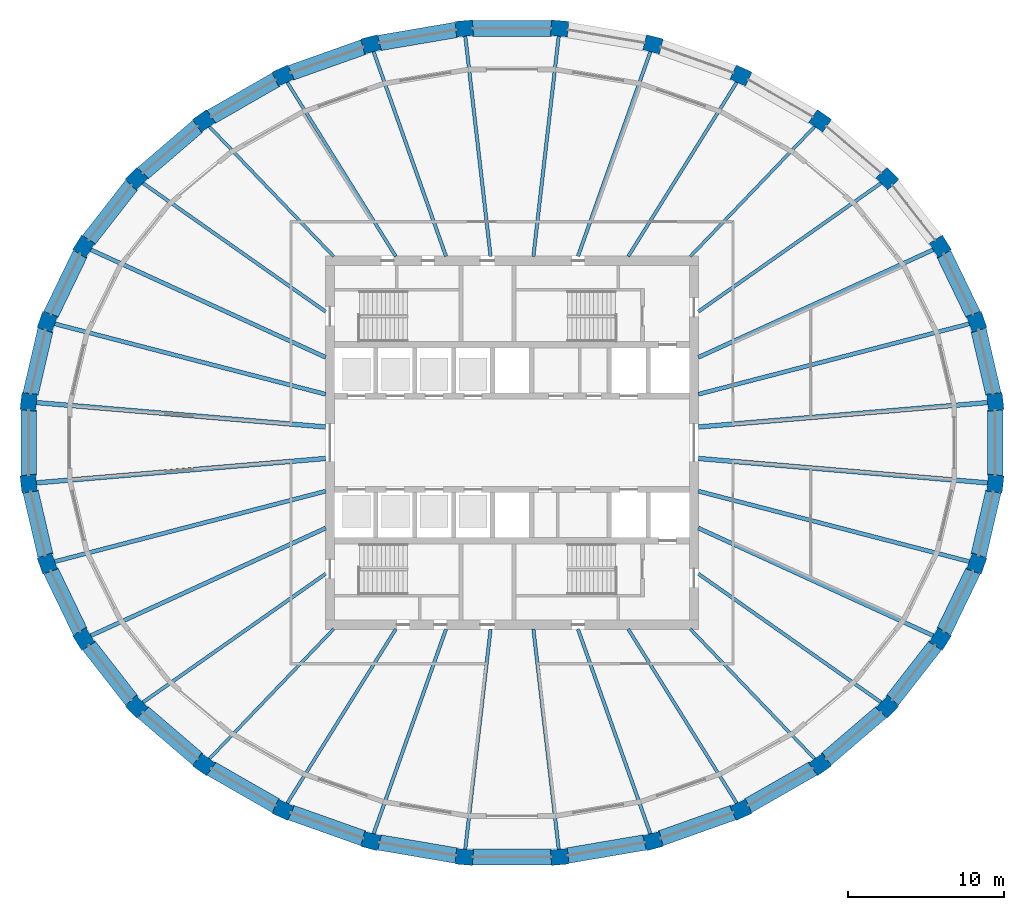
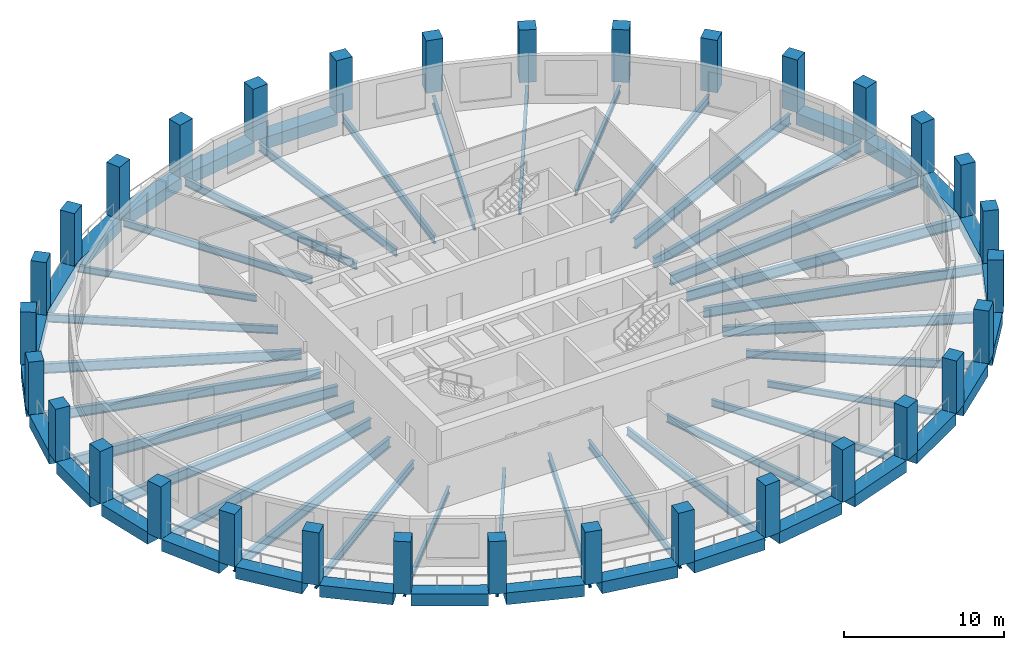
# One storey, part 1 of 10: 59 beams, 32 columns.
"""IFC4 building model written with IfcOpenShell, lengths in metres."""

import ifcopenshell
import ifcopenshell.guid

model = None  # the IFC model being written
_history = None  # IfcOwnerHistory: only IFC2X3 demands one
_inside = {}  # id of a spatial element -> (the spatial element, [elements in it])
_under = {}  # id of a project, library or spatial element -> (it, [spatial elements below it])
_declared = {}  # id of a project -> (the project, [libraries it declares])
_typed = {}  # id of a type object -> (the type object, [elements of that type])
_made_of = {}  # id of a material, layer set ... -> (it, [elements and type objects made of it])


def new_model(schema):
    """Start an empty IFC model of exactly this schema.

    Asked for "IFC4X3", IfcOpenShell would pick the latest addendum, in which some entities
    have other attributes; the version numbers below select the first issue.
    IFC2X3 requires an IfcOwnerHistory on every rooted entity: one is made here for all.
    """
    global model, _history
    if schema == "IFC4X3":
        model = ifcopenshell.file(schema_version=(4, 3, 0, 0))
    else:
        model = ifcopenshell.file(schema=schema)
    _inside.clear()
    _under.clear()
    _declared.clear()
    _typed.clear()
    _made_of.clear()
    _history = None
    if model.schema == "IFC2X3":
        org = make("IfcOrganization", Name="unknown")
        user = make(
            "IfcPersonAndOrganization",
            ThePerson=make("IfcPerson", FamilyName="unknown"),
            TheOrganization=org,
        )
        app = make(
            "IfcApplication",
            ApplicationDeveloper=org,
            Version="unknown",
            ApplicationFullName="unknown",
            ApplicationIdentifier="unknown",
        )
        _history = make(
            "IfcOwnerHistory",
            OwningUser=user,
            OwningApplication=app,
            ChangeAction="ADDED",
            CreationDate=0,
        )
    return model


def make(cls, **values):
    """One entity of the class cls with the attributes given. An attribute that is None is left unset."""
    return model.create_entity(
        cls, **{name: value for name, value in values.items() if value is not None}
    )


def rooted(cls, **values):
    """An entity with a GlobalId (a new one), such as an element, a storey or a relation."""
    return make(cls, GlobalId=ifcopenshell.guid.new(), OwnerHistory=_history, **values)


def si_unit(unit_type, name, prefix=None):
    """IfcSIUnit, for example si_unit("LENGTHUNIT", "METRE", prefix="MILLI")."""
    return make("IfcSIUnit", UnitType=unit_type, Prefix=prefix, Name=name)


def assignment(units):
    """IfcUnitAssignment: the units of a project."""
    return None if units is None else make("IfcUnitAssignment", Units=units)


def point(xyz):
    """IfcCartesianPoint."""
    return None if xyz is None else make("IfcCartesianPoint", Coordinates=xyz)


def direction(xyz):
    """IfcDirection."""
    return None if xyz is None else make("IfcDirection", DirectionRatios=xyz)


def frame(location, z_axis=None, x_axis=None):
    """IfcAxis2Placement3D, a coordinate frame: its origin and axes. An axis left out is left unset."""
    return make(
        "IfcAxis2Placement3D",
        Location=point(location),
        Axis=direction(z_axis),
        RefDirection=direction(x_axis),
    )


def frame_2d(location, x_axis=None):
    """IfcAxis2Placement2D, a coordinate frame in the plane: its origin and x axis."""
    return make(
        "IfcAxis2Placement2D", Location=point(location), RefDirection=direction(x_axis)
    )


def origin():
    """The frame at (0, 0, 0) with its axes left unset."""
    return frame((0.0, 0.0, 0.0))


def origin_2d():
    """The frame at (0, 0) in the plane with its x axis left unset."""
    return frame_2d((0.0, 0.0))


def place(relative_to, where):
    """IfcLocalPlacement: puts the frame where relative to a parent placement (None: the world)."""
    return make(
        "IfcLocalPlacement", PlacementRelTo=relative_to, RelativePlacement=where
    )


def context(
    kind, dimensions, precision=None, world=None, true_north=None, identifier=None
):
    """IfcGeometricRepresentationContext, for example the 3D "Model" context."""
    return make(
        "IfcGeometricRepresentationContext",
        ContextIdentifier=identifier,
        ContextType=kind,
        CoordinateSpaceDimension=dimensions,
        Precision=precision,
        WorldCoordinateSystem=world,
        TrueNorth=true_north,
    )


def subcontext(parent, identifier, kind, view, scale=None):
    """IfcGeometricRepresentationSubContext, for example "Body" below "Model"."""
    return make(
        "IfcGeometricRepresentationSubContext",
        ContextIdentifier=identifier,
        ContextType=kind,
        ParentContext=parent,
        TargetScale=scale,
        TargetView=view,
    )


def project(units=None, contexts=None):
    """IfcProject with its units and contexts."""
    return rooted(
        "IfcProject",
        Name="project",
        RepresentationContexts=contexts,
        UnitsInContext=assignment(units),
    )


def spatial(cls, under=None, at=None, **own):
    """A site, building, storey or space (cls), placed at a placement, below another one or the project."""
    s = rooted(cls, ObjectPlacement=at, **own)
    if under is not None:
        _under.setdefault(under.id(), (under, []))[1].append(s)
    return s


def profile(cls, at=None, kind="AREA", **sizes):
    """A parametric profile (cls). Its sizes go by their IFC names, for example OverallWidth=200.0."""
    return make(cls, ProfileType=kind, Position=at, **sizes)


def rectangle(**sizes):
    """IfcRectangleProfileDef."""
    return profile("IfcRectangleProfileDef", **sizes)


def i_section(**sizes):
    """IfcIShapeProfileDef."""
    return profile("IfcIShapeProfileDef", **sizes)


def extrude(swept, where, along, depth):
    """IfcExtrudedAreaSolid: the profile swept, set in the frame where, extruded along a direction by depth."""
    return make(
        "IfcExtrudedAreaSolid",
        SweptArea=swept,
        Position=where,
        ExtrudedDirection=direction(along),
        Depth=depth,
    )


def shape(context_of_items, identifier, shape_type, items):
    """IfcShapeRepresentation: the items that make up one representation, for example the "Body"."""
    return make(
        "IfcShapeRepresentation",
        ContextOfItems=context_of_items,
        RepresentationIdentifier=identifier,
        RepresentationType=shape_type,
        Items=items,
    )


def material(Name=None, Category=None):
    """IfcMaterial."""
    return make("IfcMaterial", Name=Name, Category=Category)


def material_profile(
    of_material, cross_section, Name=None, Category=None, Priority=None
):
    """IfcMaterialProfile: a cross section and its material."""
    return make(
        "IfcMaterialProfile",
        Name=Name,
        Material=of_material,
        Profile=cross_section,
        Priority=Priority,
        Category=Category,
    )


def profile_set(profiles, Name=None, composite=None):
    """IfcMaterialProfileSet."""
    return make(
        "IfcMaterialProfileSet",
        Name=Name,
        MaterialProfiles=profiles,
        CompositeProfile=composite,
    )


def made_of(thing, what):
    """Note that an element or type object is made of a material, layer set ...; save() writes the relation."""
    if what is not None:
        _made_of.setdefault(what.id(), (what, []))[1].append(thing)
    return thing


def type_object(cls, material=None, **own):
    """A type object (cls), such as IfcWallType, which elements share."""
    return made_of(rooted(cls, **own), material)


def element(
    cls,
    number,
    at=None,
    inside=None,
    cuts=None,
    type_object=None,
    material=None,
    context=None,
    identifier="Body",
    shape_type=None,
    held_by="IfcProductDefinitionShape",
    body=None,
    shapes=None,
    **own,
):
    """One element of the class cls, such as IfcWall. Its Tag is "e" and its number.

    at: its placement. inside: the storey or other place that contains it. cuts: it is an
    opening in that element (IfcRelVoidsElement). A single representation is given by context,
    identifier, shape_type and body (its items); several are given by shapes. held_by: the class
    of the entity that holds the representations. save() writes the other relations.
    """
    e = rooted(cls, Tag="e%d" % number, ObjectPlacement=at, **own)
    if body is not None:
        shapes = [shape(context, identifier, shape_type, body)]
    if shapes is not None:
        e.Representation = make(held_by, Representations=shapes)
    if inside is not None:
        _inside.setdefault(inside.id(), (inside, []))[1].append(e)
    if cuts is not None:
        rooted(
            "IfcRelVoidsElement", RelatingBuildingElement=cuts, RelatedOpeningElement=e
        )
    if type_object is not None:
        _typed.setdefault(type_object.id(), (type_object, []))[1].append(e)
    return made_of(e, material)


def aggregate(whole, parts):
    """IfcRelAggregates: a whole, such as a stair, and the parts it consists of."""
    return rooted("IfcRelAggregates", RelatingObject=whole, RelatedObjects=parts)


def save(model, path):
    """Write the relations noted so far, then the file.

    IfcRelAggregates (storeys below a building ...), IfcRelContainedInSpatialStructure (elements
    in a storey), IfcRelDefinesByType, IfcRelAssociatesMaterial and IfcRelDeclares: one each for
    every whole, place, type object, material and project.
    """
    for whole, parts in _under.values():
        aggregate(whole, parts)
    for where, things in _inside.values():
        rooted(
            "IfcRelContainedInSpatialStructure",
            RelatedElements=things,
            RelatingStructure=where,
        )
    for kind, things in _typed.values():
        rooted("IfcRelDefinesByType", RelatedObjects=things, RelatingType=kind)
    for what, things in _made_of.values():
        rooted("IfcRelAssociatesMaterial", RelatedObjects=things, RelatingMaterial=what)
    for by, libraries in _declared.values():
        rooted("IfcRelDeclares", RelatingContext=by, RelatedDefinitions=libraries)
    model.write(path)


model = new_model("IFC4")

# Units and contexts
model_context = context("Model", 3, precision=1e-05, world=origin(), true_north=direction((0.0, 1.0)))
body_context = subcontext(model_context, "Body", "Model", "MODEL_VIEW")
ifc_project = project(units=[si_unit("LENGTHUNIT", "METRE"), si_unit("AREAUNIT", "SQUARE_METRE"), si_unit("VOLUMEUNIT", "CUBIC_METRE"), si_unit("PLANEANGLEUNIT", "RADIAN"), si_unit("MASSUNIT", "GRAM", prefix="KILO")], contexts=[model_context])

# Site, building, storey
site_placement = place(None, origin())
site = spatial("IfcSite", under=ifc_project, at=site_placement, CompositionType="ELEMENT")
building_placement = place(site_placement, origin())
building = spatial("IfcBuilding", under=site, at=building_placement, Name="Halqa Exchange Tower", CompositionType="ELEMENT")
storey_placement = place(building_placement, frame((0.0, 0.0, 246.89990234375)))
storey = spatial("IfcBuildingStorey", under=building, at=storey_placement, Name="L57", CompositionType="ELEMENT", Elevation=246.89990234375)

# Columns
ifc_material_1 = material(Name="Concrete C60/75", Category="concrete")
ifc_material_profile_1 = material_profile(ifc_material_1, rectangle(XDim=1.10009765625, YDim=1.0, at=origin_2d()), Name="1100 x 1000")
ifc_profile_set_1 = profile_set([ifc_material_profile_1], Name="Concrete C60/75")
column_type = type_object("IfcColumnType", Name="RC ring column 1100 x 1000 C60/75", PredefinedType="COLUMN", material=ifc_profile_set_1)
for number, where, z_axis, x_axis, name in (
    (1, (31.060302734375, 2.6220703125, 0.0), (0.0, 0.0, 1.0), (-0.114153454138, 0.993463129114, 0.0), "Ring column 1"),
    (2, (29.86669921875, 7.765625, 0.0), (0.0, 0.0, 1.0), (-0.333624233576, 0.942706142321, 0.0), "Ring column 2"),
    (3, (27.525146484375, 12.61083984375, 0.0), (0.0, 0.0, 1.0), (-0.529147901095, 0.848529609835, 0.0), "Ring column 3"),
    (4, (24.1259765625, 16.97119140625, 0.0), (0.0, 0.0, 1.0), (-0.691578612608, 0.722301199351, 0.0), "Ring column 4"),
    (5, (19.7998046875, 20.679443359375, 0.0), (0.0, 0.0, 1.0), (-0.817904771313, 0.575353617407, 0.0), "Ring column 5"),
    (6, (14.71240234375, 23.593017578125, 0.0), (0.0, 0.0, 1.0), (-0.909125641902, 0.416521988898, 0.0), "Ring column 6"),
    (7, (9.059814453125, 25.60009765625, 0.0), (0.0, 0.0, 1.0), (-0.967819503571, 0.251645402317, 0.0), "Ring column 7"),
    (8, (3.05908203125, 26.623046875, 0.0), (0.0, 0.0, 1.0), (-0.996455518985, 0.084121333105, 0.0), "Ring column 8"),
    (9, (-3.05908203125, 26.623046875, 0.0), (0.0, 0.0, 1.0), (-0.996455518985, -0.084121333105, 0.0), "Ring column 9"),
    (10, (-9.059814453125, 25.60009765625, 0.0), (0.0, 0.0, 1.0), (-0.967819503571, -0.251645402317, 0.0), "Ring column 10"),
    (11, (-14.71240234375, 23.593017578125, 0.0), (0.0, 0.0, 1.0), (-0.909125641902, -0.416521988898, 0.0), "Ring column 11"),
    (12, (-19.7998046875, 20.679443359375, 0.0), (0.0, 0.0, 1.0), (-0.817904771313, -0.575353617407, 0.0), "Ring column 12"),
    (13, (-24.1259765625, 16.97119140625, 0.0), (0.0, 0.0, 1.0), (-0.691578612608, -0.722301199351, 0.0), "Ring column 13"),
    (14, (-27.525146484375, 12.61083984375, 0.0), (0.0, 0.0, 1.0), (-0.529147901095, -0.848529609835, 0.0), "Ring column 14"),
    (15, (-29.86669921875, 7.765625, 0.0), (0.0, 0.0, 1.0), (-0.333624233576, -0.942706142321, 0.0), "Ring column 15"),
    (16, (-31.060302734375, 2.6220703125, 0.0), (0.0, 0.0, 1.0), (-0.114153454138, -0.993463129114, 0.0), "Ring column 16"),
    (17, (-31.060302734375, -2.6220703125, 0.0), (0.0, 0.0, 1.0), (0.114153454138, -0.993463129114, 0.0), "Ring column 17"),
    (18, (-29.86669921875, -7.765625, 0.0), (0.0, 0.0, 1.0), (0.333624233576, -0.942706142321, 0.0), "Ring column 18"),
    (19, (-27.525146484375, -12.61083984375, 0.0), (0.0, 0.0, 1.0), (0.529147901095, -0.848529609835, 0.0), "Ring column 19"),
    (20, (-24.1259765625, -16.97119140625, 0.0), (0.0, 0.0, 1.0), (0.691578612608, -0.722301199351, 0.0), "Ring column 20"),
    (21, (-19.7998046875, -20.679443359375, 0.0), (0.0, 0.0, 1.0), (0.817904771313, -0.575353617407, 0.0), "Ring column 21"),
    (22, (-14.71240234375, -23.593017578125, 0.0), (0.0, 0.0, 1.0), (0.909125641902, -0.416521988898, 0.0), "Ring column 22"),
    (23, (-9.059814453125, -25.60009765625, 0.0), (0.0, 0.0, 1.0), (0.967819503571, -0.251645402317, 0.0), "Ring column 23"),
    (24, (-3.05908203125, -26.623046875, 0.0), (0.0, 0.0, 1.0), (0.996455518985, -0.084121333105, 0.0), "Ring column 24"),
    (25, (3.05908203125, -26.623046875, 0.0), (0.0, 0.0, 1.0), (0.996455518985, 0.084121333105, 0.0), "Ring column 25"),
    (26, (9.059814453125, -25.60009765625, 0.0), (0.0, 0.0, 1.0), (0.967819503571, 0.251645402317, 0.0), "Ring column 26"),
    (27, (14.71240234375, -23.593017578125, 0.0), (0.0, 0.0, 1.0), (0.909125641902, 0.416521988898, 0.0), "Ring column 27"),
    (28, (19.7998046875, -20.679443359375, 0.0), (0.0, 0.0, 1.0), (0.817904771313, 0.575353617407, 0.0), "Ring column 28"),
    (29, (24.1259765625, -16.97119140625, 0.0), (0.0, 0.0, 1.0), (0.691578612608, 0.722301199351, 0.0), "Ring column 29"),
    (30, (27.525146484375, -12.61083984375, 0.0), (0.0, 0.0, 1.0), (0.529147901095, 0.848529609835, 0.0), "Ring column 30"),
    (31, (29.86669921875, -7.765625, 0.0), (0.0, 0.0, 1.0), (0.333624233576, 0.942706142321, 0.0), "Ring column 31"),
    (32, (31.060302734375, -2.6220703125, 0.0), (0.0, 0.0, 1.0), (0.114153454138, 0.993463129114, 0.0), "Ring column 32"),
):
    element("IfcColumn", number, at=place(storey_placement, frame(where, z_axis=z_axis, x_axis=x_axis)), inside=storey, type_object=column_type, Name=name, PredefinedType="COLUMN", context=body_context, shape_type="SweptSolid", body=[
        extrude(rectangle(XDim=1.10009765625, YDim=1.0, at=origin_2d()), origin(), (0.0, 0.0, 1.0), 4.0),
    ])

# Beams
ifc_material_2 = material(Name="Steel S355", Category="steel")
ifc_material_profile_2 = material_profile(ifc_material_2, i_section(OverallWidth=0.300048828125, OverallDepth=0.7900390625, WebThickness=0.014892578125, FlangeThickness=0.028076171875, FilletRadius=0.030029296875, at=origin_2d()), Name="HEA 800")
ifc_profile_set_2 = profile_set([ifc_material_profile_2], Name="Steel S355")
beam_type_1 = type_object("IfcBeamType", Name="Floor beam HEA 800", PredefinedType="BEAM", material=ifc_profile_set_2)
for number, where, z_axis, x_axis, name in (
    (33, (11.972412109375, 1.0107421875, -0.69482421875), (0.996455630381, 0.084120013563, 0.0), (-0.084120013563, 0.996455630381, 0.0), "Radial beam 1"),
    (34, (-11.972412109375, 1.0107421875, -0.69482421875), (-0.996455630381, 0.084120013563, 0.0), (-0.084120013563, -0.996455630381, 0.0), "Radial beam 16"),
    (35, (-11.972412109375, -1.0107421875, -0.69482421875), (-0.996455630381, -0.084120013563, 0.0), (0.084120013563, -0.996455630381, 0.0), "Radial beam 17"),
    (36, (11.972412109375, -1.0107421875, -0.69482421875), (0.996455630381, -0.084120013563, 0.0), (0.084120013563, 0.996455630381, 0.0), "Radial beam 32"),
):
    element("IfcBeam", number, at=place(storey_placement, frame(where, z_axis=z_axis, x_axis=x_axis)), inside=storey, type_object=beam_type_1, Name=name, PredefinedType="BEAM", context=body_context, shape_type="SweptSolid", body=[
        extrude(i_section(OverallWidth=0.300048828125, OverallDepth=0.7900390625, WebThickness=0.014892578125, FlangeThickness=0.028076171875, FilletRadius=0.030029296875, at=origin_2d()), origin(), (0.0, 0.0, 1.0), 18.78369140625),
    ])
ifc_material_profile_3 = material_profile(ifc_material_2, i_section(OverallWidth=0.199951171875, OverallDepth=0.5, WebThickness=0.01025390625, FlangeThickness=0.01611328125, FilletRadius=0.02099609375, at=origin_2d()), Name="IPE 500")
ifc_profile_set_3 = profile_set([ifc_material_profile_3], Name="Steel S355")
beam_type_2 = type_object("IfcBeamType", Name="Floor beam IPE 500", PredefinedType="BEAM", material=ifc_profile_set_3)
for number, where, z_axis, x_axis, name in (
    (37, (11.46337890625, 11.972900390625, -0.5498046875), (0.691584726841, 0.722295345133, 0.0), (-0.722295345133, 0.691584726841, 0.0), "Radial beam 5"),
    (38, (-11.46337890625, 11.972900390625, -0.5498046875), (-0.691584726841, 0.722295345133, 0.0), (-0.722295345133, -0.691584726841, 0.0), "Radial beam 12"),
    (39, (-11.46337890625, -11.972900390625, -0.5498046875), (-0.691584726841, -0.722295345133, 0.0), (0.722295345133, -0.691584726841, 0.0), "Radial beam 21"),
    (40, (11.46337890625, -11.972900390625, -0.5498046875), (0.691584726841, -0.722295345133, 0.0), (0.722295345133, 0.691584726841, 0.0), "Radial beam 28"),
):
    element("IfcBeam", number, at=place(storey_placement, frame(where, z_axis=z_axis, x_axis=x_axis)), inside=storey, type_object=beam_type_2, Name=name, PredefinedType="BEAM", context=body_context, shape_type="SweptSolid", body=[
        extrude(i_section(OverallWidth=0.199951171875, OverallDepth=0.5, WebThickness=0.01025390625, FlangeThickness=0.01611328125, FilletRadius=0.02099609375, at=origin_2d()), origin(), (0.0, 0.0, 1.0), 11.67822265625),
    ])
ifc_material_profile_4 = material_profile(ifc_material_2, i_section(OverallWidth=0.2099609375, OverallDepth=0.550048828125, WebThickness=0.010986328125, FlangeThickness=0.01708984375, FilletRadius=0.02392578125, at=origin_2d()), Name="IPE 550")
ifc_profile_set_4 = profile_set([ifc_material_profile_4], Name="Steel S355")
beam_type_3 = type_object("IfcBeamType", Name="Floor beam IPE 550", PredefinedType="BEAM", material=ifc_profile_set_4)
for number, where, z_axis, x_axis, name in (
    (41, (7.46533203125, 11.971435546875, -0.574951171875), (0.529128772744, 0.848541538084, 0.0), (-0.848541538084, 0.529128772744, 0.0), "Radial beam 6"),
    (42, (-7.46533203125, 11.971435546875, -0.574951171875), (-0.529128772744, 0.848541538084, 0.0), (-0.848541538084, -0.529128772744, 0.0), "Radial beam 11"),
    (43, (-7.46533203125, -11.971435546875, -0.574951171875), (-0.529128772744, -0.848541538084, 0.0), (0.848541538084, -0.529128772744, 0.0), "Radial beam 22"),
    (44, (7.46533203125, -11.971435546875, -0.574951171875), (0.529128772744, -0.848541538084, 0.0), (0.848541538084, 0.529128772744, 0.0), "Radial beam 27"),
):
    element("IfcBeam", number, at=place(storey_placement, frame(where, z_axis=z_axis, x_axis=x_axis)), inside=storey, type_object=beam_type_3, Name=name, PredefinedType="BEAM", context=body_context, shape_type="SweptSolid", body=[
        extrude(i_section(OverallWidth=0.2099609375, OverallDepth=0.550048828125, WebThickness=0.010986328125, FlangeThickness=0.01708984375, FilletRadius=0.02392578125, at=origin_2d()), origin(), (0.0, 0.0, 1.0), 13.320068359375),
    ])
ifc_material_profile_5 = material_profile(ifc_material_2, i_section(OverallWidth=0.219970703125, OverallDepth=0.60009765625, WebThickness=0.011962890625, FlangeThickness=0.01904296875, FilletRadius=0.02392578125, at=origin_2d()), Name="IPE 600")
ifc_profile_set_5 = profile_set([ifc_material_profile_5], Name="Steel S355")
beam_type_4 = type_object("IfcBeamType", Name="Floor beam IPE 600", PredefinedType="BEAM", material=ifc_profile_set_5)
beam_1_placement = place(storey_placement, frame((11.972412109375, 8.421875, -0.599853515625), z_axis=(0.817910421288, 0.575345585495, 0.0), x_axis=(-0.575345585495, 0.817910421288, 0.0)))
element("IfcBeam", 45, at=beam_1_placement, inside=storey, type_object=beam_type_4, Name="Radial beam 4", PredefinedType="BEAM", context=body_context, shape_type="SweptSolid", body=[
    extrude(i_section(OverallWidth=0.219970703125, OverallDepth=0.60009765625, WebThickness=0.011962890625, FlangeThickness=0.01904296875, FilletRadius=0.02392578125, at=origin_2d()), origin(), (0.0, 0.0, 1.0), 14.4833984375),
])
beam_2_placement = place(storey_placement, frame((4.23681640625, 11.9716796875, -0.599853515625), z_axis=(0.333623449979, 0.942706419637, 0.0), x_axis=(-0.942706419637, 0.333623449979, 0.0)))
element("IfcBeam", 46, at=beam_2_placement, inside=storey, type_object=beam_type_4, Name="Radial beam 7", PredefinedType="BEAM", context=body_context, shape_type="SweptSolid", body=[
    extrude(i_section(OverallWidth=0.219970703125, OverallDepth=0.60009765625, WebThickness=0.011962890625, FlangeThickness=0.01904296875, FilletRadius=0.02392578125, at=origin_2d()), origin(), (0.0, 0.0, 1.0), 14.08251953125),
])
for number, where, z_axis, x_axis, name in (
    (47, (1.375732421875, 11.972412109375, -0.599853515625), (0.114147707136, 0.993463789454, 0.0), (-0.993463789454, 0.114147707136, 0.0), "Radial beam 8"),
    (48, (-1.375732421875, 11.972412109375, -0.599853515625), (-0.114147707136, 0.993463789454, 0.0), (-0.993463789454, -0.114147707136, 0.0), "Radial beam 9"),
):
    element("IfcBeam", number, at=place(storey_placement, frame(where, z_axis=z_axis, x_axis=x_axis)), inside=storey, type_object=beam_type_4, Name=name, PredefinedType="BEAM", context=body_context, shape_type="SweptSolid", body=[
        extrude(i_section(OverallWidth=0.219970703125, OverallDepth=0.60009765625, WebThickness=0.011962890625, FlangeThickness=0.01904296875, FilletRadius=0.02392578125, at=origin_2d()), origin(), (0.0, 0.0, 1.0), 14.375),
    ])
beam_3_placement = place(storey_placement, frame((-4.23681640625, 11.9716796875, -0.599853515625), z_axis=(-0.333623449979, 0.942706419637, 0.0), x_axis=(-0.942706419637, -0.333623449979, 0.0)))
element("IfcBeam", 49, at=beam_3_placement, inside=storey, type_object=beam_type_4, Name="Radial beam 10", PredefinedType="BEAM", context=body_context, shape_type="SweptSolid", body=[
    extrude(i_section(OverallWidth=0.219970703125, OverallDepth=0.60009765625, WebThickness=0.011962890625, FlangeThickness=0.01904296875, FilletRadius=0.02392578125, at=origin_2d()), origin(), (0.0, 0.0, 1.0), 14.08251953125),
])
for number, where, z_axis, x_axis, name in (
    (50, (-11.972412109375, 8.421875, -0.599853515625), (-0.817910421288, 0.575345585495, 0.0), (-0.575345585495, -0.817910421288, 0.0), "Radial beam 13"),
    (51, (-11.972412109375, -8.421875, -0.599853515625), (-0.817910421288, -0.575345585495, 0.0), (0.575345585495, -0.817910421288, 0.0), "Radial beam 20"),
):
    element("IfcBeam", number, at=place(storey_placement, frame(where, z_axis=z_axis, x_axis=x_axis)), inside=storey, type_object=beam_type_4, Name=name, PredefinedType="BEAM", context=body_context, shape_type="SweptSolid", body=[
        extrude(i_section(OverallWidth=0.219970703125, OverallDepth=0.60009765625, WebThickness=0.011962890625, FlangeThickness=0.01904296875, FilletRadius=0.02392578125, at=origin_2d()), origin(), (0.0, 0.0, 1.0), 14.4833984375),
    ])
beam_4_placement = place(storey_placement, frame((-4.23681640625, -11.9716796875, -0.599853515625), z_axis=(-0.333623449979, -0.942706419637, 0.0), x_axis=(0.942706419637, -0.333623449979, 0.0)))
element("IfcBeam", 52, at=beam_4_placement, inside=storey, type_object=beam_type_4, Name="Radial beam 23", PredefinedType="BEAM", context=body_context, shape_type="SweptSolid", body=[
    extrude(i_section(OverallWidth=0.219970703125, OverallDepth=0.60009765625, WebThickness=0.011962890625, FlangeThickness=0.01904296875, FilletRadius=0.02392578125, at=origin_2d()), origin(), (0.0, 0.0, 1.0), 14.08251953125),
])
for number, where, z_axis, x_axis, name in (
    (53, (-1.375732421875, -11.972412109375, -0.599853515625), (-0.114147707136, -0.993463789454, 0.0), (0.993463789454, -0.114147707136, 0.0), "Radial beam 24"),
    (54, (1.375732421875, -11.972412109375, -0.599853515625), (0.114147707136, -0.993463789454, 0.0), (0.993463789454, 0.114147707136, 0.0), "Radial beam 25"),
):
    element("IfcBeam", number, at=place(storey_placement, frame(where, z_axis=z_axis, x_axis=x_axis)), inside=storey, type_object=beam_type_4, Name=name, PredefinedType="BEAM", context=body_context, shape_type="SweptSolid", body=[
        extrude(i_section(OverallWidth=0.219970703125, OverallDepth=0.60009765625, WebThickness=0.011962890625, FlangeThickness=0.01904296875, FilletRadius=0.02392578125, at=origin_2d()), origin(), (0.0, 0.0, 1.0), 14.375),
    ])
beam_5_placement = place(storey_placement, frame((4.23681640625, -11.9716796875, -0.599853515625), z_axis=(0.333623449979, -0.942706419637, 0.0), x_axis=(0.942706419637, 0.333623449979, 0.0)))
element("IfcBeam", 55, at=beam_5_placement, inside=storey, type_object=beam_type_4, Name="Radial beam 26", PredefinedType="BEAM", context=body_context, shape_type="SweptSolid", body=[
    extrude(i_section(OverallWidth=0.219970703125, OverallDepth=0.60009765625, WebThickness=0.011962890625, FlangeThickness=0.01904296875, FilletRadius=0.02392578125, at=origin_2d()), origin(), (0.0, 0.0, 1.0), 14.08251953125),
])
beam_6_placement = place(storey_placement, frame((11.972412109375, -8.421875, -0.599853515625), z_axis=(0.817910421288, -0.575345585495, 0.0), x_axis=(0.575345585495, 0.817910421288, 0.0)))
element("IfcBeam", 56, at=beam_6_placement, inside=storey, type_object=beam_type_4, Name="Radial beam 29", PredefinedType="BEAM", context=body_context, shape_type="SweptSolid", body=[
    extrude(i_section(OverallWidth=0.219970703125, OverallDepth=0.60009765625, WebThickness=0.011962890625, FlangeThickness=0.01904296875, FilletRadius=0.02392578125, at=origin_2d()), origin(), (0.0, 0.0, 1.0), 14.4833984375),
])
ifc_material_profile_6 = material_profile(ifc_material_2, i_section(OverallWidth=0.264892578125, OverallDepth=0.7529296875, WebThickness=0.01318359375, FlangeThickness=0.01708984375, FilletRadius=0.01708984375, at=origin_2d()), Name="IPE 750x147")
ifc_profile_set_6 = profile_set([ifc_material_profile_6], Name="Steel S355")
beam_type_5 = type_object("IfcBeamType", Name="Floor beam IPE 750x147", PredefinedType="BEAM", material=ifc_profile_set_6)
beam_7_placement = place(storey_placement, frame((11.97265625, 3.113037109375, -0.676513671875), z_axis=(0.967818764949, 0.251648243015, 0.0), x_axis=(-0.251648243015, 0.967818764949, 0.0)))
element("IfcBeam", 57, at=beam_7_placement, inside=storey, type_object=beam_type_5, Name="Radial beam 2", PredefinedType="BEAM", context=body_context, shape_type="SweptSolid", body=[
    extrude(i_section(OverallWidth=0.264892578125, OverallDepth=0.7529296875, WebThickness=0.01318359375, FlangeThickness=0.01708984375, FilletRadius=0.01708984375, at=origin_2d()), origin(), (0.0, 0.0, 1.0), 18.114990234375),
])
for number, where, z_axis, x_axis, name in (
    (58, (11.972412109375, 5.4853515625, -0.676513671875), (0.909131134199, 0.416510000876, 0.0), (-0.416510000876, 0.909131134199, 0.0), "Radial beam 3"),
    (59, (-11.972412109375, 5.4853515625, -0.676513671875), (-0.909131134199, 0.416510000876, 0.0), (-0.416510000876, -0.909131134199, 0.0), "Radial beam 14"),
):
    element("IfcBeam", number, at=place(storey_placement, frame(where, z_axis=z_axis, x_axis=x_axis)), inside=storey, type_object=beam_type_5, Name=name, PredefinedType="BEAM", context=body_context, shape_type="SweptSolid", body=[
        extrude(i_section(OverallWidth=0.264892578125, OverallDepth=0.7529296875, WebThickness=0.01318359375, FlangeThickness=0.01708984375, FilletRadius=0.01708984375, at=origin_2d()), origin(), (0.0, 0.0, 1.0), 16.731201171875),
    ])
for number, where, z_axis, x_axis, name in (
    (60, (-11.97265625, 3.113037109375, -0.676513671875), (-0.967818764949, 0.251648243015, 0.0), (-0.251648243015, -0.967818764949, 0.0), "Radial beam 15"),
    (61, (-11.97265625, -3.113037109375, -0.676513671875), (-0.967818764949, -0.251648243015, 0.0), (0.251648243015, -0.967818764949, 0.0), "Radial beam 18"),
):
    element("IfcBeam", number, at=place(storey_placement, frame(where, z_axis=z_axis, x_axis=x_axis)), inside=storey, type_object=beam_type_5, Name=name, PredefinedType="BEAM", context=body_context, shape_type="SweptSolid", body=[
        extrude(i_section(OverallWidth=0.264892578125, OverallDepth=0.7529296875, WebThickness=0.01318359375, FlangeThickness=0.01708984375, FilletRadius=0.01708984375, at=origin_2d()), origin(), (0.0, 0.0, 1.0), 18.114990234375),
    ])
for number, where, z_axis, x_axis, name in (
    (62, (-11.972412109375, -5.4853515625, -0.676513671875), (-0.909131134199, -0.416510000876, 0.0), (0.416510000876, -0.909131134199, 0.0), "Radial beam 19"),
    (63, (11.972412109375, -5.4853515625, -0.676513671875), (0.909131134199, -0.416510000876, 0.0), (0.416510000876, 0.909131134199, 0.0), "Radial beam 30"),
):
    element("IfcBeam", number, at=place(storey_placement, frame(where, z_axis=z_axis, x_axis=x_axis)), inside=storey, type_object=beam_type_5, Name=name, PredefinedType="BEAM", context=body_context, shape_type="SweptSolid", body=[
        extrude(i_section(OverallWidth=0.264892578125, OverallDepth=0.7529296875, WebThickness=0.01318359375, FlangeThickness=0.01708984375, FilletRadius=0.01708984375, at=origin_2d()), origin(), (0.0, 0.0, 1.0), 16.731201171875),
    ])
beam_8_placement = place(storey_placement, frame((11.97265625, -3.113037109375, -0.676513671875), z_axis=(0.967818764949, -0.251648243015, 0.0), x_axis=(0.251648243015, 0.967818764949, 0.0)))
element("IfcBeam", 64, at=beam_8_placement, inside=storey, type_object=beam_type_5, Name="Radial beam 31", PredefinedType="BEAM", context=body_context, shape_type="SweptSolid", body=[
    extrude(i_section(OverallWidth=0.264892578125, OverallDepth=0.7529296875, WebThickness=0.01318359375, FlangeThickness=0.01708984375, FilletRadius=0.01708984375, at=origin_2d()), origin(), (0.0, 0.0, 1.0), 18.114990234375),
])
ifc_material_profile_7 = material_profile(ifc_material_1, rectangle(XDim=1.0, YDim=0.89990234375, at=origin_2d()), Name="1000 x 900")
ifc_profile_set_7 = profile_set([ifc_material_profile_7], Name="Concrete C60/75")
beam_type_6 = type_object("IfcBeamType", Name="RC spandrel beam 1000 x 900 C60/75", PredefinedType="SPANDREL", material=ifc_profile_set_7)
beam_9_placement = place(storey_placement, frame((30.941650390625, 3.13330078125, -0.449951171875), z_axis=(-0.226039726133, 0.974118084325, 0.0), x_axis=(-0.974118084325, -0.226039726133, 0.0)))
element("IfcBeam", 65, at=beam_9_placement, inside=storey, type_object=beam_type_6, Name="Spandrel 1", PredefinedType="SPANDREL", context=body_context, shape_type="SweptSolid", body=[
    extrude(rectangle(XDim=1.0, YDim=0.89990234375, at=origin_2d()), origin(), (0.0, 0.0, 1.0), 4.2294921875),
])
beam_10_placement = place(storey_placement, frame((29.63818359375, 8.238525390625, -0.449951171875), z_axis=(-0.435106956981, 0.900378773621, 0.0), x_axis=(-0.900378773621, -0.435106956981, 0.0)))
element("IfcBeam", 66, at=beam_10_placement, inside=storey, type_object=beam_type_6, Name="Spandrel 2", PredefinedType="SPANDREL", context=body_context, shape_type="SweptSolid", body=[
    extrude(rectangle(XDim=1.0, YDim=0.89990234375, at=origin_2d()), origin(), (0.0, 0.0, 1.0), 4.330078125),
])
beam_11_placement = place(storey_placement, frame((2.535400390625, 26.623046875, -0.449951171875), z_axis=(-1.0, 0.0, 0.0), x_axis=(0.0, -1.0, 0.0)))
element("IfcBeam", 67, at=beam_11_placement, inside=storey, type_object=beam_type_6, Name="Spandrel 8", PredefinedType="SPANDREL", context=body_context, shape_type="SweptSolid", body=[
    extrude(rectangle(XDim=1.0, YDim=0.89990234375, at=origin_2d()), origin(), (0.0, 0.0, 1.0), 5.07080078125),
])
beam_12_placement = place(storey_placement, frame((-3.57568359375, 26.534912109375, -0.449951171875), z_axis=(-0.985775605401, -0.16806681944, 0.0), x_axis=(0.16806681944, -0.985775605401, 0.0)))
element("IfcBeam", 68, at=beam_12_placement, inside=storey, type_object=beam_type_6, Name="Spandrel 9", PredefinedType="SPANDREL", context=body_context, shape_type="SweptSolid", body=[
    extrude(rectangle(XDim=1.0, YDim=0.89990234375, at=origin_2d()), origin(), (0.0, 0.0, 1.0), 5.039306640625),
])
beam_13_placement = place(storey_placement, frame((-9.554443359375, 25.42431640625, -0.449951171875), z_axis=(-0.94237407927, -0.334561047822, 0.0), x_axis=(0.334561047822, -0.94237407927, 0.0)))
element("IfcBeam", 69, at=beam_13_placement, inside=storey, type_object=beam_type_6, Name="Spandrel 10", PredefinedType="SPANDREL", context=body_context, shape_type="SweptSolid", body=[
    extrude(rectangle(XDim=1.0, YDim=0.89990234375, at=origin_2d()), origin(), (0.0, 0.0, 1.0), 4.94970703125),
])
beam_14_placement = place(storey_placement, frame((-15.167724609375, 23.33251953125, -0.449951171875), z_axis=(-0.8677465318, -0.497006998491, 0.0), x_axis=(0.497006998491, -0.8677465318, 0.0)))
element("IfcBeam", 70, at=beam_14_placement, inside=storey, type_object=beam_type_6, Name="Spandrel 11", PredefinedType="SPANDREL", context=body_context, shape_type="SweptSolid", body=[
    extrude(rectangle(XDim=1.0, YDim=0.89990234375, at=origin_2d()), origin(), (0.0, 0.0, 1.0), 4.814453125),
])
beam_15_placement = place(storey_placement, frame((-20.197998046875, 20.337890625, -0.449951171875), z_axis=(-0.759267722395, -0.650778399864, 0.0), x_axis=(0.650778399864, -0.759267722395, 0.0)))
element("IfcBeam", 71, at=beam_15_placement, inside=storey, type_object=beam_type_6, Name="Spandrel 12", PredefinedType="SPANDREL", context=body_context, shape_type="SweptSolid", body=[
    extrude(rectangle(XDim=1.0, YDim=0.89990234375, at=origin_2d()), origin(), (0.0, 0.0, 1.0), 4.649169921875),
])
beam_16_placement = place(storey_placement, frame((-24.448974609375, 16.556884765625, -0.449951171875), z_axis=(-0.614827074471, -0.788661948174, 0.0), x_axis=(0.788661948174, -0.614827074471, 0.0)))
element("IfcBeam", 72, at=beam_16_placement, inside=storey, type_object=beam_type_6, Name="Spandrel 13", PredefinedType="SPANDREL", context=body_context, shape_type="SweptSolid", body=[
    extrude(rectangle(XDim=1.0, YDim=0.89990234375, at=origin_2d()), origin(), (0.0, 0.0, 1.0), 4.478759765625),
])
beam_17_placement = place(storey_placement, frame((-27.754150390625, 12.13720703125, -0.449951171875), z_axis=(-0.435106956981, -0.900378773621, 0.0), x_axis=(0.900378773621, -0.435106956981, 0.0)))
element("IfcBeam", 73, at=beam_17_placement, inside=storey, type_object=beam_type_6, Name="Spandrel 14", PredefinedType="SPANDREL", context=body_context, shape_type="SweptSolid", body=[
    extrude(rectangle(XDim=1.0, YDim=0.89990234375, at=origin_2d()), origin(), (0.0, 0.0, 1.0), 4.330078125),
])
beam_18_placement = place(storey_placement, frame((-29.985595703125, 7.25341796875, -0.449951171875), z_axis=(-0.226039726133, -0.974118084325, 0.0), x_axis=(0.974118084325, -0.226039726133, 0.0)))
element("IfcBeam", 74, at=beam_18_placement, inside=storey, type_object=beam_type_6, Name="Spandrel 15", PredefinedType="SPANDREL", context=body_context, shape_type="SweptSolid", body=[
    extrude(rectangle(XDim=1.0, YDim=0.89990234375, at=origin_2d()), origin(), (0.0, 0.0, 1.0), 4.2294921875),
])
beam_19_placement = place(storey_placement, frame((-31.060302734375, 2.09716796875, -0.449951171875), z_axis=(0.0, -1.0, 0.0), x_axis=(1.0, 0.0, 0.0)))
element("IfcBeam", 75, at=beam_19_placement, inside=storey, type_object=beam_type_6, Name="Spandrel 16", PredefinedType="SPANDREL", context=body_context, shape_type="SweptSolid", body=[
    extrude(rectangle(XDim=1.0, YDim=0.89990234375, at=origin_2d()), origin(), (0.0, 0.0, 1.0), 4.1943359375),
])
beam_20_placement = place(storey_placement, frame((-30.941650390625, -3.13330078125, -0.449951171875), z_axis=(0.226039726133, -0.974118084325, 0.0), x_axis=(0.974118084325, 0.226039726133, 0.0)))
element("IfcBeam", 76, at=beam_20_placement, inside=storey, type_object=beam_type_6, Name="Spandrel 17", PredefinedType="SPANDREL", context=body_context, shape_type="SweptSolid", body=[
    extrude(rectangle(XDim=1.0, YDim=0.89990234375, at=origin_2d()), origin(), (0.0, 0.0, 1.0), 4.2294921875),
])
beam_21_placement = place(storey_placement, frame((-29.63818359375, -8.238525390625, -0.449951171875), z_axis=(0.435106956981, -0.900378773621, 0.0), x_axis=(0.900378773621, 0.435106956981, 0.0)))
element("IfcBeam", 77, at=beam_21_placement, inside=storey, type_object=beam_type_6, Name="Spandrel 18", PredefinedType="SPANDREL", context=body_context, shape_type="SweptSolid", body=[
    extrude(rectangle(XDim=1.0, YDim=0.89990234375, at=origin_2d()), origin(), (0.0, 0.0, 1.0), 4.330078125),
])
beam_22_placement = place(storey_placement, frame((-27.20263671875, -13.024658203125, -0.449951171875), z_axis=(0.614827074471, -0.788661948174, 0.0), x_axis=(0.788661948174, 0.614827074471, 0.0)))
element("IfcBeam", 78, at=beam_22_placement, inside=storey, type_object=beam_type_6, Name="Spandrel 19", PredefinedType="SPANDREL", context=body_context, shape_type="SweptSolid", body=[
    extrude(rectangle(XDim=1.0, YDim=0.89990234375, at=origin_2d()), origin(), (0.0, 0.0, 1.0), 4.478759765625),
])
beam_23_placement = place(storey_placement, frame((-23.72802734375, -17.312255859375, -0.449951171875), z_axis=(0.759267722395, -0.650778399864, 0.0), x_axis=(0.650778399864, 0.759267722395, 0.0)))
element("IfcBeam", 79, at=beam_23_placement, inside=storey, type_object=beam_type_6, Name="Spandrel 20", PredefinedType="SPANDREL", context=body_context, shape_type="SweptSolid", body=[
    extrude(rectangle(XDim=1.0, YDim=0.89990234375, at=origin_2d()), origin(), (0.0, 0.0, 1.0), 4.649169921875),
])
beam_24_placement = place(storey_placement, frame((-19.345458984375, -20.939697265625, -0.449951171875), z_axis=(0.8677465318, -0.497006998491, 0.0), x_axis=(0.497006998491, 0.8677465318, 0.0)))
element("IfcBeam", 80, at=beam_24_placement, inside=storey, type_object=beam_type_6, Name="Spandrel 21", PredefinedType="SPANDREL", context=body_context, shape_type="SweptSolid", body=[
    extrude(rectangle(XDim=1.0, YDim=0.89990234375, at=origin_2d()), origin(), (0.0, 0.0, 1.0), 4.814453125),
])
beam_25_placement = place(storey_placement, frame((-14.218994140625, -23.768310546875, -0.449951171875), z_axis=(0.94237407927, -0.334561047822, 0.0), x_axis=(0.334561047822, 0.94237407927, 0.0)))
element("IfcBeam", 81, at=beam_25_placement, inside=storey, type_object=beam_type_6, Name="Spandrel 22", PredefinedType="SPANDREL", context=body_context, shape_type="SweptSolid", body=[
    extrude(rectangle(XDim=1.0, YDim=0.89990234375, at=origin_2d()), origin(), (0.0, 0.0, 1.0), 4.94970703125),
])
beam_26_placement = place(storey_placement, frame((-8.543212890625, -25.68798828125, -0.449951171875), z_axis=(0.985775605401, -0.16806681944, 0.0), x_axis=(0.16806681944, 0.985775605401, 0.0)))
element("IfcBeam", 82, at=beam_26_placement, inside=storey, type_object=beam_type_6, Name="Spandrel 23", PredefinedType="SPANDREL", context=body_context, shape_type="SweptSolid", body=[
    extrude(rectangle(XDim=1.0, YDim=0.89990234375, at=origin_2d()), origin(), (0.0, 0.0, 1.0), 5.039306640625),
])
beam_27_placement = place(storey_placement, frame((-2.535400390625, -26.623046875, -0.449951171875), z_axis=(1.0, 0.0, 0.0), x_axis=(0.0, 1.0, 0.0)))
element("IfcBeam", 83, at=beam_27_placement, inside=storey, type_object=beam_type_6, Name="Spandrel 24", PredefinedType="SPANDREL", context=body_context, shape_type="SweptSolid", body=[
    extrude(rectangle(XDim=1.0, YDim=0.89990234375, at=origin_2d()), origin(), (0.0, 0.0, 1.0), 5.07080078125),
])
beam_28_placement = place(storey_placement, frame((3.57568359375, -26.534912109375, -0.449951171875), z_axis=(0.985775605401, 0.16806681944, 0.0), x_axis=(-0.16806681944, 0.985775605401, 0.0)))
element("IfcBeam", 84, at=beam_28_placement, inside=storey, type_object=beam_type_6, Name="Spandrel 25", PredefinedType="SPANDREL", context=body_context, shape_type="SweptSolid", body=[
    extrude(rectangle(XDim=1.0, YDim=0.89990234375, at=origin_2d()), origin(), (0.0, 0.0, 1.0), 5.039306640625),
])
beam_29_placement = place(storey_placement, frame((9.554443359375, -25.42431640625, -0.449951171875), z_axis=(0.94237407927, 0.334561047822, 0.0), x_axis=(-0.334561047822, 0.94237407927, 0.0)))
element("IfcBeam", 85, at=beam_29_placement, inside=storey, type_object=beam_type_6, Name="Spandrel 26", PredefinedType="SPANDREL", context=body_context, shape_type="SweptSolid", body=[
    extrude(rectangle(XDim=1.0, YDim=0.89990234375, at=origin_2d()), origin(), (0.0, 0.0, 1.0), 4.94970703125),
])
beam_30_placement = place(storey_placement, frame((15.167724609375, -23.33251953125, -0.449951171875), z_axis=(0.8677465318, 0.497006998491, 0.0), x_axis=(-0.497006998491, 0.8677465318, 0.0)))
element("IfcBeam", 86, at=beam_30_placement, inside=storey, type_object=beam_type_6, Name="Spandrel 27", PredefinedType="SPANDREL", context=body_context, shape_type="SweptSolid", body=[
    extrude(rectangle(XDim=1.0, YDim=0.89990234375, at=origin_2d()), origin(), (0.0, 0.0, 1.0), 4.814453125),
])
beam_31_placement = place(storey_placement, frame((20.197998046875, -20.337890625, -0.449951171875), z_axis=(0.759267722395, 0.650778399864, 0.0), x_axis=(-0.650778399864, 0.759267722395, 0.0)))
element("IfcBeam", 87, at=beam_31_placement, inside=storey, type_object=beam_type_6, Name="Spandrel 28", PredefinedType="SPANDREL", context=body_context, shape_type="SweptSolid", body=[
    extrude(rectangle(XDim=1.0, YDim=0.89990234375, at=origin_2d()), origin(), (0.0, 0.0, 1.0), 4.649169921875),
])
beam_32_placement = place(storey_placement, frame((24.448974609375, -16.556884765625, -0.449951171875), z_axis=(0.614827074471, 0.788661948174, 0.0), x_axis=(-0.788661948174, 0.614827074471, 0.0)))
element("IfcBeam", 88, at=beam_32_placement, inside=storey, type_object=beam_type_6, Name="Spandrel 29", PredefinedType="SPANDREL", context=body_context, shape_type="SweptSolid", body=[
    extrude(rectangle(XDim=1.0, YDim=0.89990234375, at=origin_2d()), origin(), (0.0, 0.0, 1.0), 4.478759765625),
])
beam_33_placement = place(storey_placement, frame((27.754150390625, -12.13720703125, -0.449951171875), z_axis=(0.435106956981, 0.900378773621, 0.0), x_axis=(-0.900378773621, 0.435106956981, 0.0)))
element("IfcBeam", 89, at=beam_33_placement, inside=storey, type_object=beam_type_6, Name="Spandrel 30", PredefinedType="SPANDREL", context=body_context, shape_type="SweptSolid", body=[
    extrude(rectangle(XDim=1.0, YDim=0.89990234375, at=origin_2d()), origin(), (0.0, 0.0, 1.0), 4.330078125),
])
beam_34_placement = place(storey_placement, frame((29.985595703125, -7.25341796875, -0.449951171875), z_axis=(0.226039726133, 0.974118084325, 0.0), x_axis=(-0.974118084325, 0.226039726133, 0.0)))
element("IfcBeam", 90, at=beam_34_placement, inside=storey, type_object=beam_type_6, Name="Spandrel 31", PredefinedType="SPANDREL", context=body_context, shape_type="SweptSolid", body=[
    extrude(rectangle(XDim=1.0, YDim=0.89990234375, at=origin_2d()), origin(), (0.0, 0.0, 1.0), 4.2294921875),
])
beam_35_placement = place(storey_placement, frame((31.060302734375, -2.09716796875, -0.449951171875), z_axis=(0.0, 1.0, 0.0), x_axis=(-1.0, 0.0, 0.0)))
element("IfcBeam", 91, at=beam_35_placement, inside=storey, type_object=beam_type_6, Name="Spandrel 32", PredefinedType="SPANDREL", context=body_context, shape_type="SweptSolid", body=[
    extrude(rectangle(XDim=1.0, YDim=0.89990234375, at=origin_2d()), origin(), (0.0, 0.0, 1.0), 4.1943359375),
])

save(model, "model.ifc")
